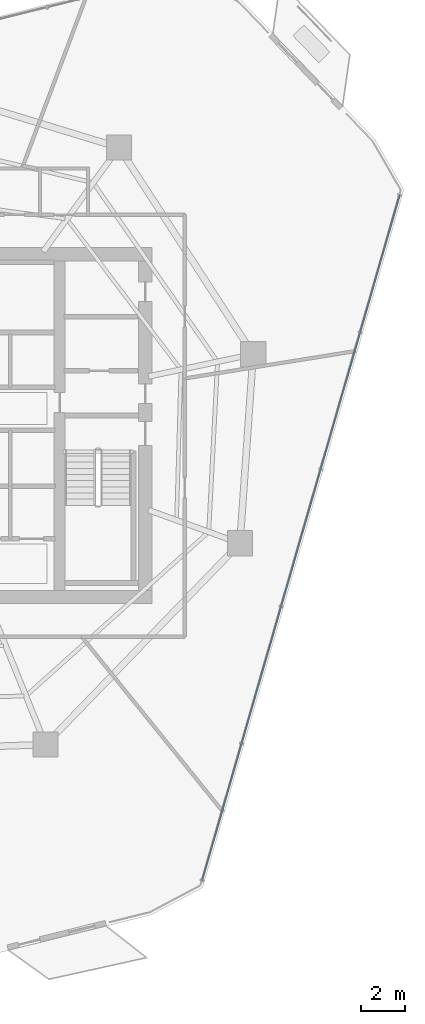
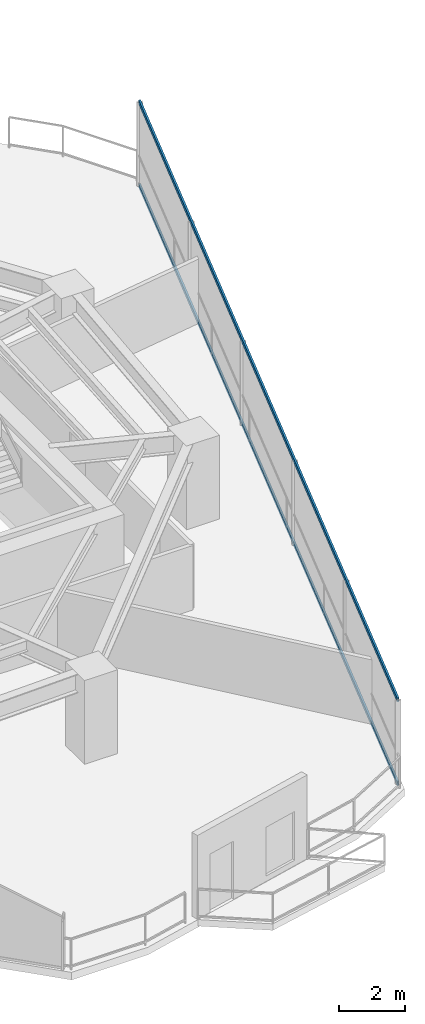
# One storey, part 9 of 23: 2 members, 1 element without a shape of its own.
"""IFC4 building model written with IfcOpenShell, lengths in metres."""

from ifc_helpers import new_model, si_unit, direction, frame, origin, origin_2d, place, context, subcontext, project, spatial, hollow_rectangle, extrude, material, layer, layer_set, material_profile, profile_set, type_object, element, aggregate, save


model = new_model("IFC4")

# Units and contexts
model_context = context("Model", 3, precision=1e-05, world=origin(), true_north=direction((0.0, 1.0)))
body_context = subcontext(model_context, "Body", "Model", "MODEL_VIEW")
ifc_project = project(units=[si_unit("LENGTHUNIT", "METRE"), si_unit("AREAUNIT", "SQUARE_METRE"), si_unit("VOLUMEUNIT", "CUBIC_METRE"), si_unit("PLANEANGLEUNIT", "RADIAN"), si_unit("MASSUNIT", "GRAM", prefix="KILO")], contexts=[model_context])

# Site, building, storey
site_placement = place(None, origin())
site = spatial("IfcSite", under=ifc_project, at=site_placement, CompositionType="ELEMENT")
building_placement = place(site_placement, origin())
building = spatial("IfcBuilding", under=site, at=building_placement, Name="Qarnah Convention Tower", CompositionType="ELEMENT")
storey_placement = place(building_placement, frame((0.0, 0.0, 117.75)))
storey = spatial("IfcBuildingStorey", under=building, at=storey_placement, Name="L31", CompositionType="ELEMENT", Elevation=117.75)

# Curtain wall, members
ifc_material_1 = material(Name="Tempered Low-E dark glass", Category="glass")
ifc_layer = layer(ifc_material_1, 0.169921875)
ifc_layer_set = layer_set([ifc_layer], Name="Tempered Low-E dark glass")
curtain_wall_type = type_object("IfcCurtainWallType", Name="CWS-02", PredefinedType="NOTDEFINED", material=ifc_layer_set)
curtain_wall_placement = place(storey_placement, origin())
curtain_wall = element("IfcCurtainWall", 1, at=curtain_wall_placement, inside=storey, type_object=curtain_wall_type, Name="L31 unitised curtain wall CW-L31-F3", PredefinedType="NOTDEFINED")
ifc_material_2 = material(Name="Black anodised aluminium", Category="aluminium")
ifc_material_profile = material_profile(ifc_material_2, hollow_rectangle(XDim=0.06494140625, YDim=0.14990234375, WallThickness=0.00390625, at=origin_2d()), Name="TRN-65X150")
ifc_profile_set = profile_set([ifc_material_profile], Name="Black anodised aluminium")
member_type = type_object("IfcMemberType", Name="TRN-T2", PredefinedType="USERDEFINED", material=ifc_profile_set)
member_1_placement = place(storey_placement, frame((59.174072265625, 36.887939453125, 0.0), z_axis=(-0.276962729143, -0.960880662031, 0.0), x_axis=(0.960880662031, -0.276962729143, 0.0)))
member_1 = element("IfcMember", 2, at=member_1_placement, type_object=member_type, Name="CW-L31-F3 transom 1", ObjectType="TRANSOM", PredefinedType="USERDEFINED", context=body_context, shape_type="SweptSolid", body=[
    extrude(hollow_rectangle(XDim=0.06494140625, YDim=0.14990234375, WallThickness=0.00390625, at=origin_2d()), origin(), (0.0, 0.0, 1.0), 32.45556640625),
])
member_2_placement = place(storey_placement, frame((59.174072265625, 36.887939453125, 3.090087890625), z_axis=(-0.276962729143, -0.960880662031, 0.0), x_axis=(0.960880662031, -0.276962729143, 0.0)))
member_2 = element("IfcMember", 3, at=member_2_placement, type_object=member_type, Name="CW-L31-F3 transom 2", ObjectType="TRANSOM", PredefinedType="USERDEFINED", context=body_context, shape_type="SweptSolid", body=[
    extrude(hollow_rectangle(XDim=0.06494140625, YDim=0.14990234375, WallThickness=0.00390625, at=origin_2d()), origin(), (0.0, 0.0, 1.0), 32.45556640625),
])
aggregate(curtain_wall, [member_1, member_2])

save(model, "model.ifc")
